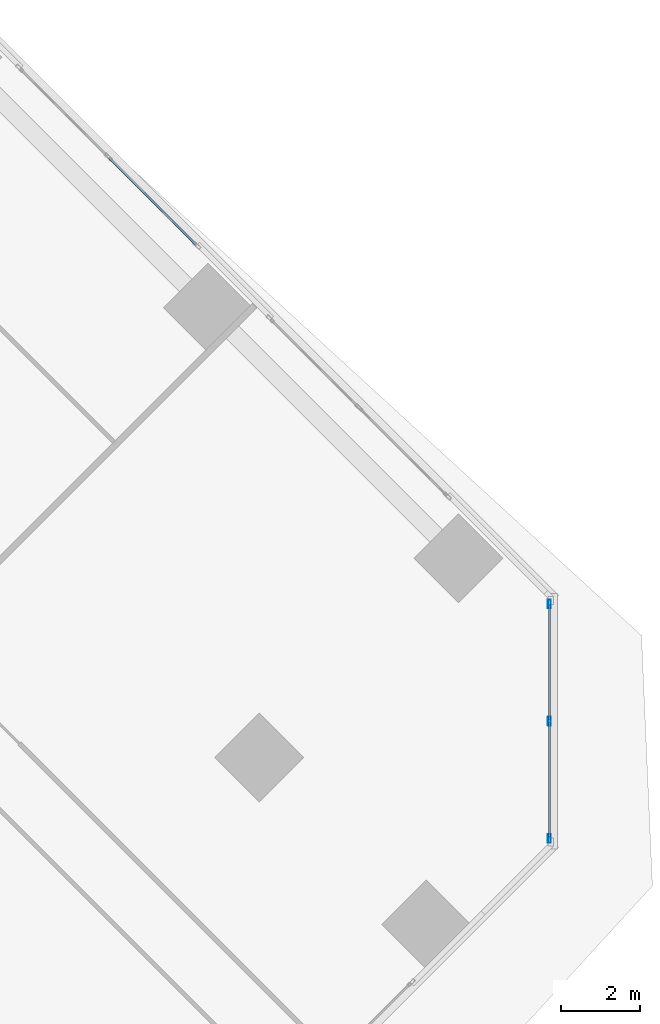
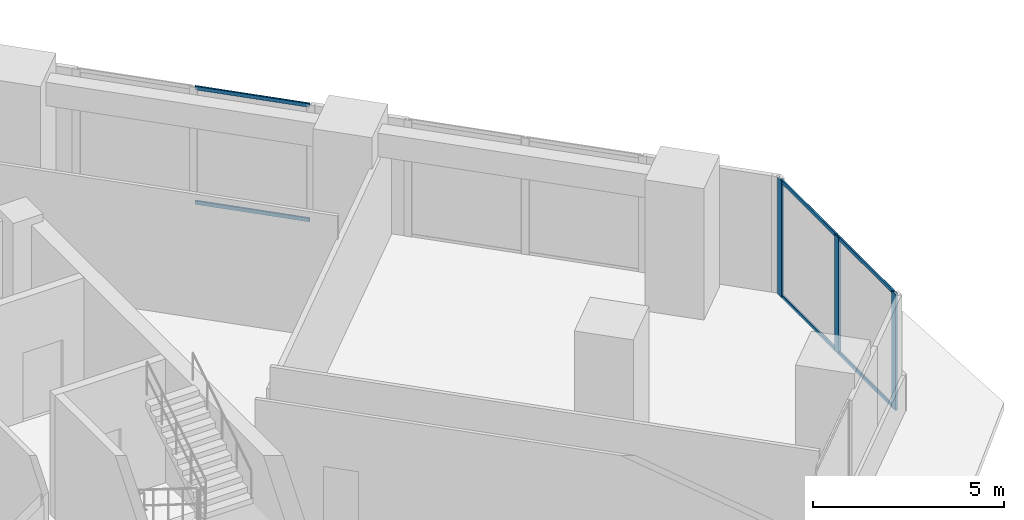
# One storey, part 7 of 17: 9 members, 2 elements without a shape of their own.
"""IFC4 building model written with IfcOpenShell, lengths in metres."""

import ifcopenshell
import ifcopenshell.guid

model = None  # the IFC model being written
_history = None  # IfcOwnerHistory: only IFC2X3 demands one
_inside = {}  # id of a spatial element -> (the spatial element, [elements in it])
_under = {}  # id of a project, library or spatial element -> (it, [spatial elements below it])
_declared = {}  # id of a project -> (the project, [libraries it declares])
_typed = {}  # id of a type object -> (the type object, [elements of that type])
_made_of = {}  # id of a material, layer set ... -> (it, [elements and type objects made of it])


def new_model(schema):
    """Start an empty IFC model of exactly this schema.

    Asked for "IFC4X3", IfcOpenShell would pick the latest addendum, in which some entities
    have other attributes; the version numbers below select the first issue.
    IFC2X3 requires an IfcOwnerHistory on every rooted entity: one is made here for all.
    """
    global model, _history
    if schema == "IFC4X3":
        model = ifcopenshell.file(schema_version=(4, 3, 0, 0))
    else:
        model = ifcopenshell.file(schema=schema)
    _inside.clear()
    _under.clear()
    _declared.clear()
    _typed.clear()
    _made_of.clear()
    _history = None
    if model.schema == "IFC2X3":
        org = make("IfcOrganization", Name="unknown")
        user = make(
            "IfcPersonAndOrganization",
            ThePerson=make("IfcPerson", FamilyName="unknown"),
            TheOrganization=org,
        )
        app = make(
            "IfcApplication",
            ApplicationDeveloper=org,
            Version="unknown",
            ApplicationFullName="unknown",
            ApplicationIdentifier="unknown",
        )
        _history = make(
            "IfcOwnerHistory",
            OwningUser=user,
            OwningApplication=app,
            ChangeAction="ADDED",
            CreationDate=0,
        )
    return model


def make(cls, **values):
    """One entity of the class cls with the attributes given. An attribute that is None is left unset."""
    return model.create_entity(
        cls, **{name: value for name, value in values.items() if value is not None}
    )


def rooted(cls, **values):
    """An entity with a GlobalId (a new one), such as an element, a storey or a relation."""
    return make(cls, GlobalId=ifcopenshell.guid.new(), OwnerHistory=_history, **values)


def si_unit(unit_type, name, prefix=None):
    """IfcSIUnit, for example si_unit("LENGTHUNIT", "METRE", prefix="MILLI")."""
    return make("IfcSIUnit", UnitType=unit_type, Prefix=prefix, Name=name)


def assignment(units):
    """IfcUnitAssignment: the units of a project."""
    return None if units is None else make("IfcUnitAssignment", Units=units)


def point(xyz):
    """IfcCartesianPoint."""
    return None if xyz is None else make("IfcCartesianPoint", Coordinates=xyz)


def direction(xyz):
    """IfcDirection."""
    return None if xyz is None else make("IfcDirection", DirectionRatios=xyz)


def frame(location, z_axis=None, x_axis=None):
    """IfcAxis2Placement3D, a coordinate frame: its origin and axes. An axis left out is left unset."""
    return make(
        "IfcAxis2Placement3D",
        Location=point(location),
        Axis=direction(z_axis),
        RefDirection=direction(x_axis),
    )


def frame_2d(location, x_axis=None):
    """IfcAxis2Placement2D, a coordinate frame in the plane: its origin and x axis."""
    return make(
        "IfcAxis2Placement2D", Location=point(location), RefDirection=direction(x_axis)
    )


def origin():
    """The frame at (0, 0, 0) with its axes left unset."""
    return frame((0.0, 0.0, 0.0))


def origin_2d():
    """The frame at (0, 0) in the plane with its x axis left unset."""
    return frame_2d((0.0, 0.0))


def place(relative_to, where):
    """IfcLocalPlacement: puts the frame where relative to a parent placement (None: the world)."""
    return make(
        "IfcLocalPlacement", PlacementRelTo=relative_to, RelativePlacement=where
    )


def context(
    kind, dimensions, precision=None, world=None, true_north=None, identifier=None
):
    """IfcGeometricRepresentationContext, for example the 3D "Model" context."""
    return make(
        "IfcGeometricRepresentationContext",
        ContextIdentifier=identifier,
        ContextType=kind,
        CoordinateSpaceDimension=dimensions,
        Precision=precision,
        WorldCoordinateSystem=world,
        TrueNorth=true_north,
    )


def subcontext(parent, identifier, kind, view, scale=None):
    """IfcGeometricRepresentationSubContext, for example "Body" below "Model"."""
    return make(
        "IfcGeometricRepresentationSubContext",
        ContextIdentifier=identifier,
        ContextType=kind,
        ParentContext=parent,
        TargetScale=scale,
        TargetView=view,
    )


def project(units=None, contexts=None):
    """IfcProject with its units and contexts."""
    return rooted(
        "IfcProject",
        Name="project",
        RepresentationContexts=contexts,
        UnitsInContext=assignment(units),
    )


def spatial(cls, under=None, at=None, **own):
    """A site, building, storey or space (cls), placed at a placement, below another one or the project."""
    s = rooted(cls, ObjectPlacement=at, **own)
    if under is not None:
        _under.setdefault(under.id(), (under, []))[1].append(s)
    return s


def profile(cls, at=None, kind="AREA", **sizes):
    """A parametric profile (cls). Its sizes go by their IFC names, for example OverallWidth=200.0."""
    return make(cls, ProfileType=kind, Position=at, **sizes)


def hollow_rectangle(**sizes):
    """IfcRectangleHollowProfileDef."""
    return profile("IfcRectangleHollowProfileDef", **sizes)


def extrude(swept, where, along, depth):
    """IfcExtrudedAreaSolid: the profile swept, set in the frame where, extruded along a direction by depth."""
    return make(
        "IfcExtrudedAreaSolid",
        SweptArea=swept,
        Position=where,
        ExtrudedDirection=direction(along),
        Depth=depth,
    )


def shape(context_of_items, identifier, shape_type, items):
    """IfcShapeRepresentation: the items that make up one representation, for example the "Body"."""
    return make(
        "IfcShapeRepresentation",
        ContextOfItems=context_of_items,
        RepresentationIdentifier=identifier,
        RepresentationType=shape_type,
        Items=items,
    )


def source(mapping_origin, context_of_items, identifier, shape_type, items):
    """IfcRepresentationMap: a shape defined once, which mapped items show again and again."""
    return make(
        "IfcRepresentationMap",
        MappingOrigin=mapping_origin,
        MappedRepresentation=shape(context_of_items, identifier, shape_type, items),
    )


def transform(
    local_origin,
    x_axis=None,
    y_axis=None,
    z_axis=None,
    scale=None,
    scale2=None,
    scale3=None,
    uniform=True,
):
    """IfcCartesianTransformationOperator3D, or its non-uniform kind. x_axis, y_axis, z_axis: its Axis1, 2, 3."""
    if uniform:
        return make(
            "IfcCartesianTransformationOperator3D",
            Axis1=direction(x_axis),
            Axis2=direction(y_axis),
            LocalOrigin=point(local_origin),
            Scale=scale,
            Axis3=direction(z_axis),
        )
    return make(
        "IfcCartesianTransformationOperator3DnonUniform",
        Axis1=direction(x_axis),
        Axis2=direction(y_axis),
        LocalOrigin=point(local_origin),
        Scale=scale,
        Axis3=direction(z_axis),
        Scale2=scale2,
        Scale3=scale3,
    )


def mapped(mapping_source, mapping_target):
    """IfcMappedItem: shows the shape of a source again, moved by a transform."""
    return make(
        "IfcMappedItem", MappingSource=mapping_source, MappingTarget=mapping_target
    )


def material(Name=None, Category=None):
    """IfcMaterial."""
    return make("IfcMaterial", Name=Name, Category=Category)


def material_profile(
    of_material, cross_section, Name=None, Category=None, Priority=None
):
    """IfcMaterialProfile: a cross section and its material."""
    return make(
        "IfcMaterialProfile",
        Name=Name,
        Material=of_material,
        Profile=cross_section,
        Priority=Priority,
        Category=Category,
    )


def profile_set(profiles, Name=None, composite=None):
    """IfcMaterialProfileSet."""
    return make(
        "IfcMaterialProfileSet",
        Name=Name,
        MaterialProfiles=profiles,
        CompositeProfile=composite,
    )


def made_of(thing, what):
    """Note that an element or type object is made of a material, layer set ...; save() writes the relation."""
    if what is not None:
        _made_of.setdefault(what.id(), (what, []))[1].append(thing)
    return thing


def type_object(cls, material=None, **own):
    """A type object (cls), such as IfcWallType, which elements share."""
    return made_of(rooted(cls, **own), material)


def element(
    cls,
    number,
    at=None,
    inside=None,
    cuts=None,
    type_object=None,
    material=None,
    context=None,
    identifier="Body",
    shape_type=None,
    held_by="IfcProductDefinitionShape",
    body=None,
    shapes=None,
    **own,
):
    """One element of the class cls, such as IfcWall. Its Tag is "e" and its number.

    at: its placement. inside: the storey or other place that contains it. cuts: it is an
    opening in that element (IfcRelVoidsElement). A single representation is given by context,
    identifier, shape_type and body (its items); several are given by shapes. held_by: the class
    of the entity that holds the representations. save() writes the other relations.
    """
    e = rooted(cls, Tag="e%d" % number, ObjectPlacement=at, **own)
    if body is not None:
        shapes = [shape(context, identifier, shape_type, body)]
    if shapes is not None:
        e.Representation = make(held_by, Representations=shapes)
    if inside is not None:
        _inside.setdefault(inside.id(), (inside, []))[1].append(e)
    if cuts is not None:
        rooted(
            "IfcRelVoidsElement", RelatingBuildingElement=cuts, RelatedOpeningElement=e
        )
    if type_object is not None:
        _typed.setdefault(type_object.id(), (type_object, []))[1].append(e)
    return made_of(e, material)


def aggregate(whole, parts):
    """IfcRelAggregates: a whole, such as a stair, and the parts it consists of."""
    return rooted("IfcRelAggregates", RelatingObject=whole, RelatedObjects=parts)


def save(model, path):
    """Write the relations noted so far, then the file.

    IfcRelAggregates (storeys below a building ...), IfcRelContainedInSpatialStructure (elements
    in a storey), IfcRelDefinesByType, IfcRelAssociatesMaterial and IfcRelDeclares: one each for
    every whole, place, type object, material and project.
    """
    for whole, parts in _under.values():
        aggregate(whole, parts)
    for where, things in _inside.values():
        rooted(
            "IfcRelContainedInSpatialStructure",
            RelatedElements=things,
            RelatingStructure=where,
        )
    for kind, things in _typed.values():
        rooted("IfcRelDefinesByType", RelatedObjects=things, RelatingType=kind)
    for what, things in _made_of.values():
        rooted("IfcRelAssociatesMaterial", RelatedObjects=things, RelatingMaterial=what)
    for by, libraries in _declared.values():
        rooted("IfcRelDeclares", RelatingContext=by, RelatedDefinitions=libraries)
    model.write(path)


model = new_model("IFC4")

# Units and contexts
model_context = context("Model", 3, precision=1e-05, world=origin(), true_north=direction((0.0, 1.0)))
body_context = subcontext(model_context, "Body", "Model", "MODEL_VIEW")
ifc_project = project(units=[si_unit("LENGTHUNIT", "METRE"), si_unit("AREAUNIT", "SQUARE_METRE"), si_unit("VOLUMEUNIT", "CUBIC_METRE"), si_unit("PLANEANGLEUNIT", "RADIAN"), si_unit("MASSUNIT", "GRAM", prefix="KILO")], contexts=[model_context])

# Site, building, storey
site_placement = place(None, origin())
site = spatial("IfcSite", under=ifc_project, at=site_placement, CompositionType="ELEMENT")
building_placement = place(site_placement, origin())
building = spatial("IfcBuilding", under=site, at=building_placement, Name="Torre Montelarca", CompositionType="ELEMENT")
storey_placement = place(building_placement, frame((0.0, 0.0, 241.60009765625)))
storey = spatial("IfcBuildingStorey", under=building, at=storey_placement, Name="L54", CompositionType="ELEMENT", Elevation=241.60009765625)

# Curtain wall, members
ifc_material_1 = material(Name="Insulated low-E laminated glass", Category="glass")
curtain_wall_type = type_object("IfcCurtainWallType", Name="CW-SYS-Z3", PredefinedType="USERDEFINED", material=ifc_material_1)
curtain_wall_1_placement = place(storey_placement, origin())
curtain_wall_1 = element("IfcCurtainWall", 1, at=curtain_wall_1_placement, inside=storey, type_object=curtain_wall_type, Name="L54 Curtain Wall Run CW-T3-L54-E07-B1", ObjectType="UNITISED GLAZING", PredefinedType="USERDEFINED")
ifc_material_2 = material(Name="Anodised aluminium AA 6063-T6", Category="aluminium")
ifc_material_profile_1 = material_profile(ifc_material_2, hollow_rectangle(XDim=0.054931640625, YDim=0.1201171875, WallThickness=0.00341796875, InnerFilletRadius=0.00341796875, OuterFilletRadius=0.007080078125, at=origin_2d()), Name="ALU55X120X3.5", Category="aluminium")
ifc_profile_set_1 = profile_set([ifc_material_profile_1], Name="Anodised aluminium AA 6063-T6")
member_type_1 = type_object("IfcMemberType", Name="CWT-ALU120", PredefinedType="USERDEFINED", material=ifc_profile_set_1)
shared_shape_1 = source(origin(), body_context, "Body", "SweptSolid", [
    extrude(hollow_rectangle(XDim=0.054931640625, YDim=0.1201171875, WallThickness=0.00341796875, InnerFilletRadius=0.00341796875, OuterFilletRadius=0.007080078125, at=origin_2d()), origin(), (0.0, 0.0, 1.0), 2.903564453125),
])
member_1_placement = place(storey_placement, frame((44.775146484375, 28.360595703125, 0.02734375), z_axis=(0.0, 1.0, 0.0), x_axis=(-1.0, 0.0, 0.0)))
member_1 = element("IfcMember", 2, at=member_1_placement, type_object=member_type_1, Name="CW transom 2.1", ObjectType="TRANSOM", PredefinedType="USERDEFINED", context=body_context, shape_type="MappedRepresentation", body=[
    mapped(shared_shape_1, transform((0.0, 0.0, 0.0), scale=1.0)),
])
member_2_placement = place(storey_placement, frame((44.775146484375, 28.360595703125, 3.6923828125), z_axis=(0.0, 1.0, 0.0), x_axis=(-1.0, 0.0, 0.0)))
member_2 = element("IfcMember", 3, at=member_2_placement, type_object=member_type_1, Name="CW transom 2.2", ObjectType="TRANSOM", PredefinedType="USERDEFINED", context=body_context, shape_type="MappedRepresentation", body=[
    mapped(shared_shape_1, transform((0.0, 0.0, 0.0), scale=1.0)),
])
ifc_material_profile_2 = material_profile(ifc_material_2, hollow_rectangle(XDim=0.074951171875, YDim=0.219970703125, WallThickness=0.0048828125, InnerFilletRadius=0.0048828125, OuterFilletRadius=0.010009765625, at=origin_2d()), Name="ALU75X220X5", Category="aluminium")
ifc_profile_set_2 = profile_set([ifc_material_profile_2], Name="Anodised aluminium AA 6063-T6")
member_type_2 = type_object("IfcMemberType", Name="CWM-ALU220", PredefinedType="MULLION", material=ifc_profile_set_2)
shared_shape_2 = source(origin(), body_context, "Body", "SweptSolid", [
    extrude(hollow_rectangle(XDim=0.074951171875, YDim=0.219970703125, WallThickness=0.0048828125, InnerFilletRadius=0.0048828125, OuterFilletRadius=0.010009765625, at=origin_2d()), origin(), (0.0, 0.0, 1.0), 3.719970703125),
])
member_3_placement = place(storey_placement, frame((44.775146484375, 25.344482421875, 0.0), z_axis=(0.0, 0.0, 1.0), x_axis=(-1.0, 0.0, 0.0)))
member_3 = element("IfcMember", 4, at=member_3_placement, type_object=member_type_2, Name="CW mullion 1", PredefinedType="MULLION", context=body_context, shape_type="MappedRepresentation", body=[
    mapped(shared_shape_2, transform((0.0, 0.0, 0.0), scale=1.0)),
])
member_4_placement = place(storey_placement, frame((44.775146484375, 28.322998046875, 0.0), z_axis=(0.0, 0.0, 1.0), x_axis=(-1.0, 0.0, 0.0)))
member_4 = element("IfcMember", 5, at=member_4_placement, type_object=member_type_2, Name="CW mullion 2", PredefinedType="MULLION", context=body_context, shape_type="MappedRepresentation", body=[
    mapped(shared_shape_2, transform((0.0, 0.0, 0.0), scale=1.0)),
])
member_5_placement = place(storey_placement, frame((44.775146484375, 31.3017578125, 0.0), z_axis=(0.0, 0.0, 1.0), x_axis=(-1.0, 0.0, 0.0)))
member_5 = element("IfcMember", 6, at=member_5_placement, type_object=member_type_2, Name="CW mullion 3", PredefinedType="MULLION", context=body_context, shape_type="MappedRepresentation", body=[
    mapped(shared_shape_2, transform((0.0, 0.0, 0.0), scale=1.0)),
])

curtain_wall_2_placement = place(storey_placement, origin())
curtain_wall_2 = element("IfcCurtainWall", 7, at=curtain_wall_2_placement, inside=storey, type_object=curtain_wall_type, Name="L54 Curtain Wall Run CW-T3-L54-E08-B2", ObjectType="UNITISED GLAZING", PredefinedType="USERDEFINED")
shared_shape_3 = source(origin(), body_context, "Body", "SweptSolid", [
    extrude(hollow_rectangle(XDim=0.054931640625, YDim=0.1201171875, WallThickness=0.00341796875, InnerFilletRadius=0.00341796875, OuterFilletRadius=0.007080078125, at=origin_2d()), origin(), (0.0, 0.0, 1.0), 3.107666015625),
])
member_6_placement = place(storey_placement, frame((35.794189453125, 40.43212890625, 0.02734375), z_axis=(-0.707067498568, 0.707146061623, 0.0), x_axis=(-0.707146061623, -0.707067498568, 0.0)))
member_6 = element("IfcMember", 8, at=member_6_placement, type_object=member_type_1, Name="CW transom 1.1", ObjectType="TRANSOM", PredefinedType="USERDEFINED", context=body_context, shape_type="MappedRepresentation", body=[
    mapped(shared_shape_3, transform((0.0, 0.0, 0.0), scale=1.0)),
])
member_7_placement = place(storey_placement, frame((35.794189453125, 40.43212890625, 3.6923828125), z_axis=(-0.707067498568, 0.707146061623, 0.0), x_axis=(-0.707146061623, -0.707067498568, 0.0)))
member_7 = element("IfcMember", 9, at=member_7_placement, type_object=member_type_1, Name="CW transom 1.2", ObjectType="TRANSOM", PredefinedType="USERDEFINED", context=body_context, shape_type="MappedRepresentation", body=[
    mapped(shared_shape_3, transform((0.0, 0.0, 0.0), scale=1.0)),
])
aggregate(curtain_wall_2, [member_6, member_7])

# Member
shared_shape_4 = source(origin(), body_context, "Body", "SweptSolid", [
    extrude(hollow_rectangle(XDim=0.054931640625, YDim=0.1201171875, WallThickness=0.00341796875, InnerFilletRadius=0.00341796875, OuterFilletRadius=0.007080078125, at=origin_2d()), origin(), (0.0, 0.0, 1.0), 2.90380859375),
])
member_8_placement = place(storey_placement, frame((44.775146484375, 25.3818359375, 0.02734375), z_axis=(0.0, 1.0, 0.0), x_axis=(-1.0, 0.0, 0.0)))
member_8 = element("IfcMember", 10, at=member_8_placement, type_object=member_type_1, Name="CW transom 1.1", ObjectType="TRANSOM", PredefinedType="USERDEFINED", context=body_context, shape_type="MappedRepresentation", body=[
    mapped(shared_shape_4, transform((0.0, 0.0, 0.0), scale=1.0)),
])

member_9_placement = place(storey_placement, frame((44.775146484375, 25.3818359375, 3.6923828125), z_axis=(0.0, 1.0, 0.0), x_axis=(-1.0, 0.0, 0.0)))
member_9 = element("IfcMember", 11, at=member_9_placement, type_object=member_type_1, Name="CW transom 1.2", ObjectType="TRANSOM", PredefinedType="USERDEFINED", context=body_context, shape_type="MappedRepresentation", body=[
    mapped(shared_shape_4, transform((0.0, 0.0, 0.0), scale=1.0)),
])

aggregate(curtain_wall_1, [member_3, member_4, member_5, member_8, member_9, member_1, member_2])

save(model, "model.ifc")
